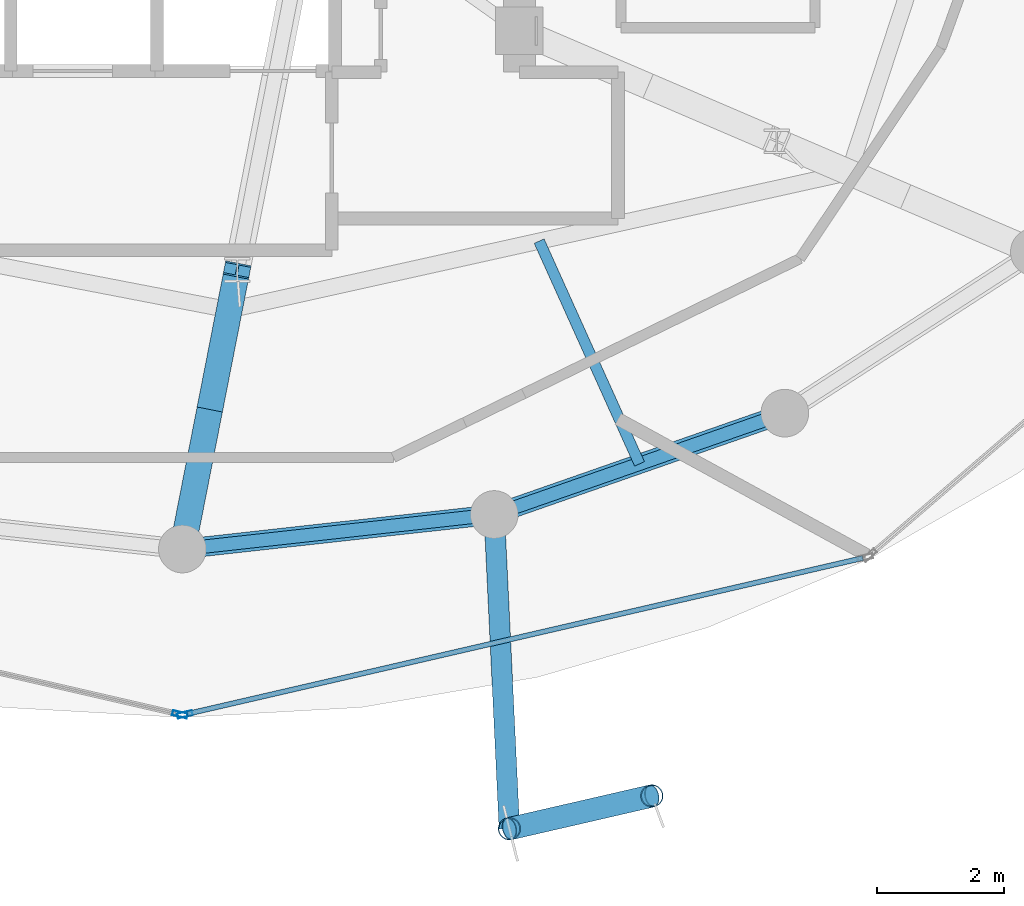
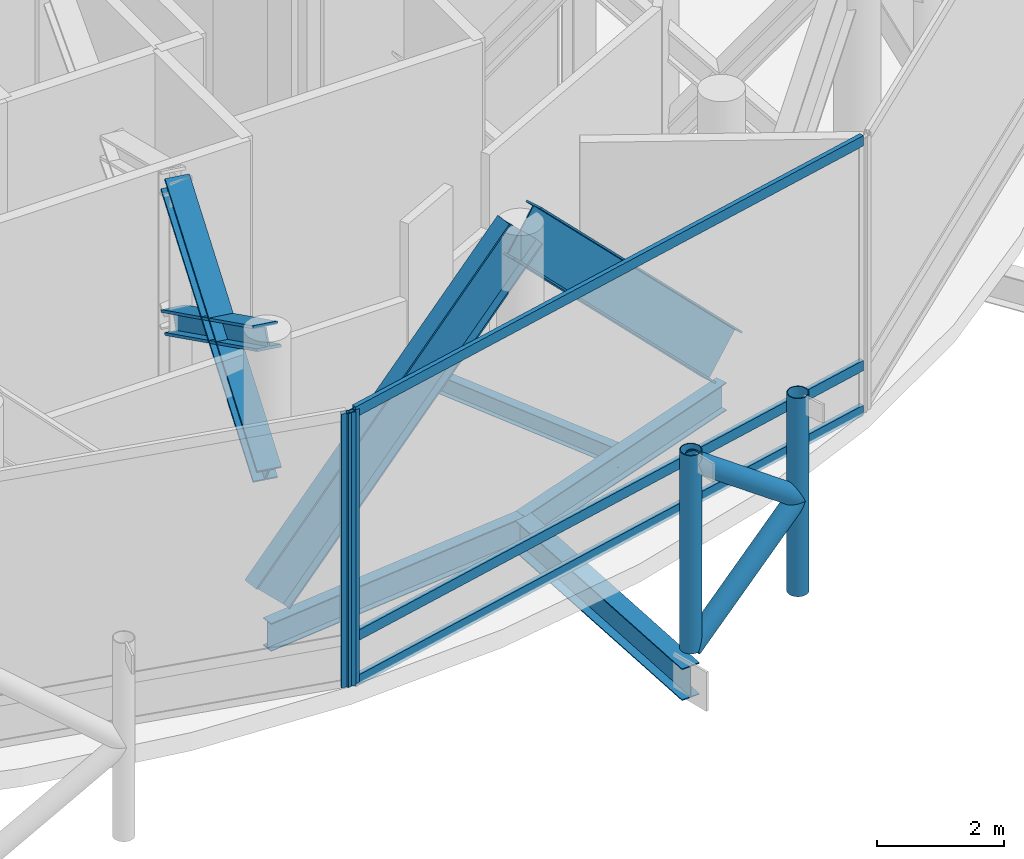
# One storey, part 4 of 26: 13 members, 4 beams, 2 elements without a shape of their own.
"""IFC4 building model written with IfcOpenShell, lengths in metres."""

from ifc_helpers import new_model, si_unit, direction, frame, origin, origin_2d, place, context, subcontext, project, spatial, hollow_rectangle, hollow_circle, i_section, extrude, material, layer, layer_set, material_profile, profile_set, type_object, element, aggregate, save


model = new_model("IFC4")

# Units and contexts
model_context = context("Model", 3, precision=1e-05, world=origin(), true_north=direction((0.0, 1.0)))
body_context = subcontext(model_context, "Body", "Model", "MODEL_VIEW")
ifc_project = project(units=[si_unit("LENGTHUNIT", "METRE"), si_unit("AREAUNIT", "SQUARE_METRE"), si_unit("VOLUMEUNIT", "CUBIC_METRE"), si_unit("PLANEANGLEUNIT", "RADIAN"), si_unit("MASSUNIT", "GRAM", prefix="KILO")], contexts=[model_context])

# Site, building, storey
site_placement = place(None, origin())
site = spatial("IfcSite", under=ifc_project, at=site_placement, CompositionType="ELEMENT")
building_placement = place(site_placement, origin())
building = spatial("IfcBuilding", under=site, at=building_placement, Name="Nuhasar Tower", CompositionType="ELEMENT")
storey_placement = place(building_placement, frame((0.0, 0.0, 301.199951171875)))
storey = spatial("IfcBuildingStorey", under=building, at=storey_placement, Name="L75", CompositionType="ELEMENT", Elevation=301.199951171875)

# Members
ifc_material_1 = material(Name="Steel S460", Category="steel")
ifc_material_profile_1 = material_profile(ifc_material_1, i_section(OverallWidth=0.306884765625, OverallDepth=0.927001953125, WebThickness=0.019287109375, FlangeThickness=0.031982421875, at=origin_2d()), Name="W36X194")
ifc_profile_set_1 = profile_set([ifc_material_profile_1], Name="Steel S460")
member_type_1 = type_object("IfcMemberType", Name="BLT-DIAG-W36B", PredefinedType="CHORD", material=ifc_profile_set_1)
member_1_placement = place(storey_placement, frame((39.0, 10.85009765625, 0.150146484375), z_axis=(0.70174933839, 0.077681077526, 0.708176190128), x_axis=(-0.110024283128, 0.99392889943, 0.0)))
element("IfcMember", 1, at=member_1_placement, inside=storey, type_object=member_type_1, Name="L75 Belt Truss Diagonal 19", PredefinedType="CHORD", context=body_context, shape_type="SweptSolid", body=[
    extrude(i_section(OverallWidth=0.306884765625, OverallDepth=0.927001953125, WebThickness=0.019287109375, FlangeThickness=0.031982421875, at=origin_2d()), origin(), (0.0, 0.0, 1.0), 6.98974609375),
])
member_2_placement = place(storey_placement, frame((48.47509765625, 12.987060546875, 0.150146484375), z_axis=(-0.660125360585, -0.230245124166, 0.714997686087), x_axis=(0.329332415729, -0.944214043504, 0.0)))
element("IfcMember", 2, at=member_2_placement, inside=storey, type_object=member_type_1, Name="L75 Belt Truss Diagonal 20", PredefinedType="CHORD", context=body_context, shape_type="SweptSolid", body=[
    extrude(i_section(OverallWidth=0.306884765625, OverallDepth=0.927001953125, WebThickness=0.019287109375, FlangeThickness=0.031982421875, at=origin_2d()), origin(), (0.0, 0.0, 1.0), 6.923095703125),
])

# Beams
ifc_material_2 = material(Name="Steel S355", Category="steel")
ifc_material_profile_2 = material_profile(ifc_material_2, i_section(OverallWidth=0.1708984375, OverallDepth=0.35205078125, WebThickness=0.0068359375, FlangeThickness=0.009765625, at=origin_2d()), Name="W14X30")
ifc_profile_set_2 = profile_set([ifc_material_profile_2], Name="Steel S355")
beam_type_1 = type_object("IfcBeamType", Name="BM-JST-W14X30", PredefinedType="JOIST", material=ifc_profile_set_2)
beam_1_placement = place(storey_placement, frame((44.611083984375, 15.693115234375, -0.52587890625), z_axis=(0.41089033708, -0.911684776057, 0.0), x_axis=(0.911684776057, 0.41089033708, 0.0)))
element("IfcBeam", 3, at=beam_1_placement, inside=storey, type_object=beam_type_1, Name="L75 Secondary Floor Joist 02", PredefinedType="JOIST", context=body_context, shape_type="SweptSolid", body=[
    extrude(i_section(OverallWidth=0.1708984375, OverallDepth=0.35205078125, WebThickness=0.0068359375, FlangeThickness=0.009765625, at=origin_2d()), origin(), (0.0, 0.0, 1.0), 3.842529296875),
])
ifc_material_profile_3 = material_profile(ifc_material_2, i_section(OverallWidth=0.2099609375, OverallDepth=0.537109375, WebThickness=0.010986328125, FlangeThickness=0.017333984375, at=origin_2d()), Name="W21X68")
ifc_profile_set_3 = profile_set([ifc_material_profile_3], Name="Steel S355")
beam_type_2 = type_object("IfcBeamType", Name="BM-RING-W21X68", PredefinedType="SPANDREL", material=ifc_profile_set_3)
beam_2_placement = place(storey_placement, frame((39.0, 10.85009765625, -0.617919921875), z_axis=(0.99392889943, 0.110024283128, 0.0), x_axis=(-0.110024283128, 0.99392889943, 0.0)))
element("IfcBeam", 4, at=beam_2_placement, inside=storey, type_object=beam_type_2, Name="L75 Perimeter Ring Spandrel 19", PredefinedType="SPANDREL", context=body_context, shape_type="SweptSolid", body=[
    extrude(i_section(OverallWidth=0.2099609375, OverallDepth=0.537109375, WebThickness=0.010986328125, FlangeThickness=0.017333984375, at=origin_2d()), origin(), (0.0, 0.0, 1.0), 4.93505859375),
])
beam_3_placement = place(storey_placement, frame((43.905029296875, 11.39306640625, -0.617919921875), z_axis=(0.944214043504, 0.329332415729, 0.0), x_axis=(-0.329332415729, 0.944214043504, 0.0)))
element("IfcBeam", 5, at=beam_3_placement, inside=storey, type_object=beam_type_2, Name="L75 Perimeter Ring Spandrel 20", PredefinedType="SPANDREL", context=body_context, shape_type="SweptSolid", body=[
    extrude(i_section(OverallWidth=0.2099609375, OverallDepth=0.537109375, WebThickness=0.010986328125, FlangeThickness=0.017333984375, at=origin_2d()), origin(), (0.0, 0.0, 1.0), 4.840087890625),
])
ifc_material_profile_4 = material_profile(ifc_material_2, i_section(OverallWidth=0.323974609375, OverallDepth=0.611083984375, WebThickness=0.0126953125, FlangeThickness=0.01904296875, at=origin_2d()), Name="W24X104")
ifc_profile_set_4 = profile_set([ifc_material_profile_4], Name="Steel S355")
beam_type_3 = type_object("IfcBeamType", Name="BM-TIE-W24X104", PredefinedType="BEAM", material=ifc_profile_set_4)
beam_4_placement = place(storey_placement, frame((43.905029296875, 11.39306640625, -0.655029296875), z_axis=(0.048109027225, -0.998842090372, 0.0), x_axis=(0.998842090372, 0.048109027225, 0.0)))
element("IfcBeam", 6, at=beam_4_placement, inside=storey, type_object=beam_type_3, Name="L75 Exoskeleton Node Tie Beam 10", PredefinedType="BEAM", context=body_context, shape_type="SweptSolid", body=[
    extrude(i_section(OverallWidth=0.323974609375, OverallDepth=0.611083984375, WebThickness=0.0126953125, FlangeThickness=0.01904296875, at=origin_2d()), origin(), (0.0, 0.0, 1.0), 4.94775390625),
])

# Curtain wall, member
ifc_material_3 = material(Name="Aluminium 6063-T6", Category="aluminium")
ifc_layer = layer(ifc_material_3, 0.219970703125)
ifc_layer_set = layer_set([ifc_layer], Name="Aluminium 6063-T6")
curtain_wall_type = type_object("IfcCurtainWallType", Name="CW-CROWN", PredefinedType="NOTDEFINED", material=ifc_layer_set)
curtain_wall_1_placement = place(storey_placement, origin())
curtain_wall_1 = element("IfcCurtainWall", 7, at=curtain_wall_1_placement, inside=storey, type_object=curtain_wall_type, Name="L75 Unitised Curtain Wall 09", PredefinedType="NOTDEFINED")
ifc_material_profile_5 = material_profile(ifc_material_3, hollow_rectangle(XDim=0.080078125, YDim=0.239990234375, WallThickness=0.0048828125, at=origin_2d()), Name="CWM-7")
ifc_profile_set_5 = profile_set([ifc_material_profile_5], Name="Aluminium 6063-T6")
member_type_2 = type_object("IfcMemberType", Name="CW-MUL-S7", PredefinedType="MULLION", material=ifc_profile_set_5)
member_3_placement = place(storey_placement, frame((38.9609375, 8.2490234375, 0.0), z_axis=(0.0, 0.0, 1.0), x_axis=(0.224800092578, 0.974404904738, 0.0)))
member_3 = element("IfcMember", 8, at=member_3_placement, type_object=member_type_2, Name="CW-CR mullion 2", PredefinedType="MULLION", context=body_context, shape_type="SweptSolid", body=[
    extrude(hollow_rectangle(XDim=0.080078125, YDim=0.239990234375, WallThickness=0.0048828125, at=origin_2d()), origin(), (0.0, 0.0, 1.0), 5.25),
])
aggregate(curtain_wall_1, [member_3])

# Curtain wall, members
curtain_wall_2_placement = place(storey_placement, origin())
curtain_wall_2 = element("IfcCurtainWall", 9, at=curtain_wall_2_placement, inside=storey, type_object=curtain_wall_type, Name="L75 Unitised Curtain Wall 10", PredefinedType="NOTDEFINED")
member_4_placement = place(storey_placement, frame((39.0390625, 8.2490234375, 0.0), z_axis=(0.0, 0.0, 1.0), x_axis=(-0.224800092578, 0.974404904738, 0.0)))
member_4 = element("IfcMember", 10, at=member_4_placement, type_object=member_type_2, Name="CW-CR mullion 1", PredefinedType="MULLION", context=body_context, shape_type="SweptSolid", body=[
    extrude(hollow_rectangle(XDim=0.080078125, YDim=0.239990234375, WallThickness=0.0048828125, at=origin_2d()), origin(), (0.0, 0.0, 1.0), 5.25),
])
ifc_material_profile_6 = material_profile(ifc_material_3, hollow_rectangle(XDim=0.080078125, YDim=0.199951171875, WallThickness=0.00439453125, at=origin_2d()), Name="CWT-7")
ifc_profile_set_6 = profile_set([ifc_material_profile_6], Name="Aluminium 6063-T6")
member_type_3 = type_object("IfcMemberType", Name="CW-TRN-S7", PredefinedType="USERDEFINED", material=ifc_profile_set_6)
member_5_placement = place(storey_placement, frame((39.077880859375, 8.258056640625, 0.0400390625), z_axis=(0.974407797917, 0.224787551607, 0.0), x_axis=(-0.224787551607, 0.974407797917, 0.0)))
member_5 = element("IfcMember", 11, at=member_5_placement, type_object=member_type_3, Name="CW-CR transom 1.1", ObjectType="TRANSOM", PredefinedType="USERDEFINED", context=body_context, shape_type="SweptSolid", body=[
    extrude(hollow_rectangle(XDim=0.080078125, YDim=0.199951171875, WallThickness=0.00439453125, at=origin_2d()), origin(), (0.0, 0.0, 1.0), 10.9033203125),
])
member_6_placement = place(storey_placement, frame((39.077880859375, 8.258056640625, 0.900146484375), z_axis=(0.974407797917, 0.224787551607, 0.0), x_axis=(-0.224787551607, 0.974407797917, 0.0)))
member_6 = element("IfcMember", 12, at=member_6_placement, type_object=member_type_3, Name="CW-CR transom 1.2", ObjectType="TRANSOM", PredefinedType="USERDEFINED", context=body_context, shape_type="SweptSolid", body=[
    extrude(hollow_rectangle(XDim=0.080078125, YDim=0.199951171875, WallThickness=0.00439453125, at=origin_2d()), origin(), (0.0, 0.0, 1.0), 10.9033203125),
])
member_7_placement = place(storey_placement, frame((39.077880859375, 8.258056640625, 5.2099609375), z_axis=(0.974407797917, 0.224787551607, 0.0), x_axis=(-0.224787551607, 0.974407797917, 0.0)))
member_7 = element("IfcMember", 13, at=member_7_placement, type_object=member_type_3, Name="CW-CR transom 1.3", ObjectType="TRANSOM", PredefinedType="USERDEFINED", context=body_context, shape_type="SweptSolid", body=[
    extrude(hollow_rectangle(XDim=0.080078125, YDim=0.199951171875, WallThickness=0.00439453125, at=origin_2d()), origin(), (0.0, 0.0, 1.0), 10.9033203125),
])
aggregate(curtain_wall_2, [member_4, member_5, member_6, member_7])

# Members
ifc_material_profile_7 = material_profile(ifc_material_1, hollow_circle(Radius=0.177734375, WallThickness=0.015869140625, at=origin_2d()), Name="HSS355.6X15.9")
ifc_profile_set_7 = profile_set([ifc_material_profile_7], Name="Steel S460")
member_type_4 = type_object("IfcMemberType", Name="EXO-BRONZE-356", PredefinedType="BRACE", material=ifc_profile_set_7)
for number, where, z_axis, x_axis, name in (
    (14, (44.14306640625, 6.450927734375, 0.0), (0.0, 0.0, 1.0), (1.0, 0.0, 0.0), "L75 Exoskeleton Chord Column EC-10A"),
    (15, (46.384033203125, 6.967041015625, 0.0), (0.0, 0.0, 1.0), (1.0, 0.0, 0.0), "L75 Exoskeleton Chord Column EC-10B"),
):
    element("IfcMember", number, at=place(storey_placement, frame(where, z_axis=z_axis, x_axis=x_axis)), inside=storey, type_object=member_type_4, Name=name, PredefinedType="BRACE", context=body_context, shape_type="SweptSolid", body=[
        extrude(hollow_circle(Radius=0.177734375, WallThickness=0.015869140625, at=origin_2d()), origin(), (0.0, 0.0, 1.0), 3.800048828125),
    ])
for number, where, z_axis, x_axis, name in (
    (16, (44.14306640625, 6.450927734375, 0.0), (0.767360750131, 0.176729559405, 0.616379868255), (-0.224433035437, 0.97448951385, 0.0), "L75 Bronze Diagrid Brace W1-10"),
    (17, (46.384033203125, 6.967041015625, 1.800048828125), (-0.767360750131, -0.176729559405, 0.616379868255), (0.224433035437, -0.97448951385, 0.0), "L75 Bronze Diagrid Brace W2-10"),
):
    element("IfcMember", number, at=place(storey_placement, frame(where, z_axis=z_axis, x_axis=x_axis)), inside=storey, type_object=member_type_4, Name=name, PredefinedType="BRACE", context=body_context, shape_type="SweptSolid", body=[
        extrude(hollow_circle(Radius=0.177734375, WallThickness=0.015869140625, at=origin_2d()), origin(), (0.0, 0.0, 1.0), 2.92041015625),
    ])
ifc_material_profile_8 = material_profile(ifc_material_1, i_section(OverallWidth=0.406005859375, OverallDepth=0.416015625, WebThickness=0.02978515625, FlangeThickness=0.048095703125, at=origin_2d()), Name="W14X257")
ifc_profile_set_8 = profile_set([ifc_material_profile_8], Name="Steel S460")
member_type_5 = type_object("IfcMemberType", Name="OUT-DIAG-W14B", PredefinedType="STRUT", material=ifc_profile_set_8)
for number, where, z_axis, x_axis, name in (
    (18, (39.861083984375, 15.239013671875, 2.449951171875), (-0.165631895966, -0.844220185364, 0.509763036776), (0.981292119268, -0.192524742986, 0.0), "L75 Outrigger Truss Diagonal OUT1-02"),
    (19, (39.0, 10.85009765625, 2.449951171875), (0.165631895966, 0.844220185364, 0.509763036776), (-0.981292119268, 0.192524742986, 0.0), "L75 Outrigger Truss Diagonal OUT2-02"),
):
    element("IfcMember", number, at=place(storey_placement, frame(where, z_axis=z_axis, x_axis=x_axis)), inside=storey, type_object=member_type_5, Name=name, PredefinedType="STRUT", context=body_context, shape_type="SweptSolid", body=[
        extrude(i_section(OverallWidth=0.406005859375, OverallDepth=0.416015625, WebThickness=0.02978515625, FlangeThickness=0.048095703125, at=origin_2d()), origin(), (0.0, 0.0, 1.0), 5.19873046875),
    ])

save(model, "model.ifc")
